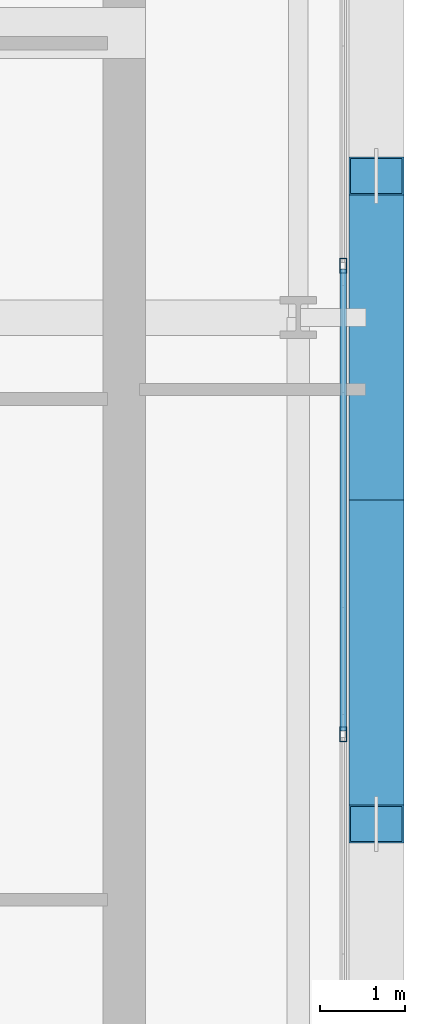
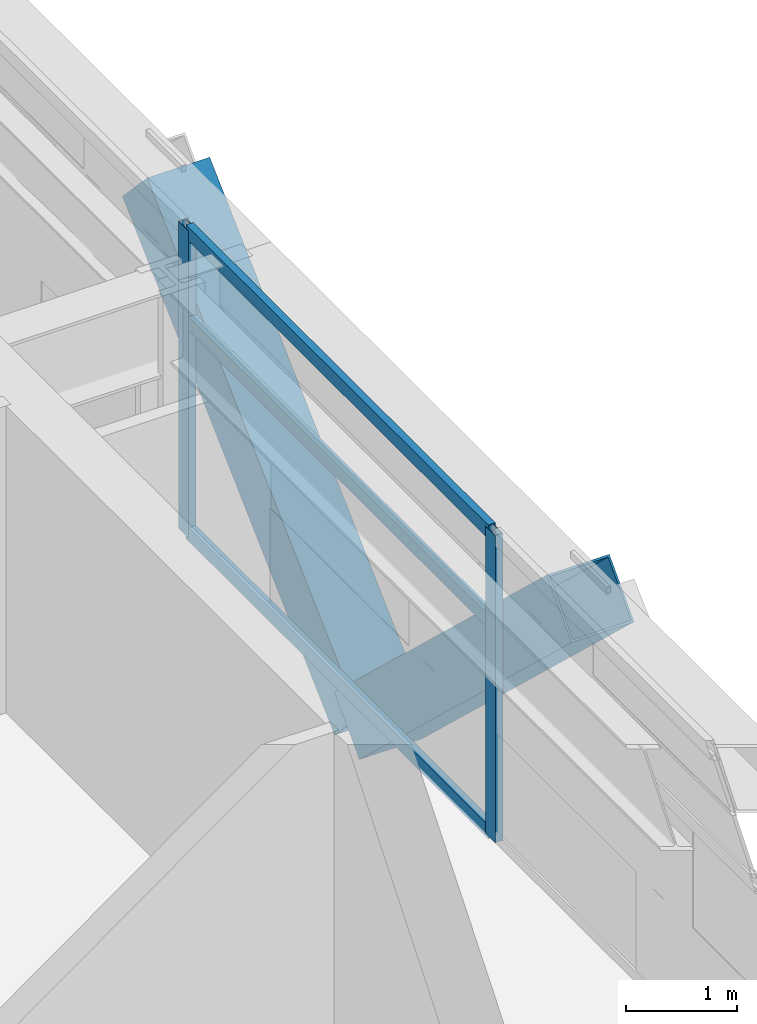
# One storey, part 17 of 37: 7 members, 1 element without a shape of its own.
"""IFC4 building model written with IfcOpenShell, lengths in metres."""

from ifc_helpers import new_model, si_unit, direction, frame, origin, origin_2d, place, context, subcontext, project, spatial, hollow_rectangle, extrude, source, transform, mapped, material, layer, layer_set, material_profile, profile_set, type_object, element, aggregate, save


model = new_model("IFC4")

# Units and contexts
model_context = context("Model", 3, precision=1e-05, world=origin(), true_north=direction((0.0, 1.0)))
body_context = subcontext(model_context, "Body", "Model", "MODEL_VIEW")
ifc_project = project(units=[si_unit("LENGTHUNIT", "METRE"), si_unit("AREAUNIT", "SQUARE_METRE"), si_unit("VOLUMEUNIT", "CUBIC_METRE"), si_unit("PLANEANGLEUNIT", "RADIAN"), si_unit("MASSUNIT", "GRAM", prefix="KILO")], contexts=[model_context])

# Site, building, storey
site_placement = place(None, origin())
site = spatial("IfcSite", under=ifc_project, at=site_placement, CompositionType="ELEMENT")
building_placement = place(site_placement, origin())
building = spatial("IfcBuilding", under=site, at=building_placement, Name="Ocotamira Hotel", CompositionType="ELEMENT")
storey_placement = place(building_placement, frame((0.0, 0.0, 192.0)))
storey = spatial("IfcBuildingStorey", under=building, at=storey_placement, Name="L48", CompositionType="ELEMENT", Elevation=192.0)

# Members
ifc_material_1 = material(Name="Pale-metal coated steel ASTM A913 Grade 65", Category="steel")
ifc_material_profile_1 = material_profile(ifc_material_1, hollow_rectangle(XDim=0.64990234375, YDim=0.64990234375, WallThickness=0.02197265625, at=origin_2d()), Name="BOX650X650X22")
ifc_profile_set_1 = profile_set([ifc_material_profile_1], Name="Pale-metal coated steel ASTM A913 Grade 65")
member_type_1 = type_object("IfcMemberType", Name="MEM-EXO-BOX650", PredefinedType="BRACE", material=ifc_profile_set_1)
shared_shape_1 = source(origin(), body_context, "Body", "SweptSolid", [
    extrude(hollow_rectangle(XDim=0.64990234375, YDim=0.64990234375, WallThickness=0.02197265625, at=origin_2d()), origin(), (0.0, 0.0, 1.0), 5.24658203125),
])
for number, where, z_axis, x_axis, name in (
    (1, (55.969970703125, 26.0, -0.47998046875), (0.0, -0.727442733726, 0.686168397078), (1.0, 0.0, 0.0), "L48 Exoskeleton Diagrid E1.1"),
    (2, (55.969970703125, 26.0, -0.47998046875), (0.0, 0.727442733726, 0.686168397078), (-1.0, 0.0, 0.0), "L48 Exoskeleton Diagrid E1.2"),
):
    element("IfcMember", number, at=place(storey_placement, frame(where, z_axis=z_axis, x_axis=x_axis)), inside=storey, type_object=member_type_1, Name=name, PredefinedType="BRACE", context=body_context, shape_type="MappedRepresentation", body=[
        mapped(shared_shape_1, transform((0.0, 0.0, 0.0), scale=1.0)),
    ])

# Curtain wall, members
ifc_material_2 = material(Name="Anodised pale-metal aluminium and solar glass", Category="aluminium")
ifc_layer = layer(ifc_material_2, 0.199951171875)
ifc_layer_set = layer_set([ifc_layer], Name="Anodised pale-metal aluminium and solar glass")
curtain_wall_type = type_object("IfcCurtainWallType", Name="CW-SYS4-Z3", PredefinedType="NOTDEFINED", material=ifc_layer_set)
curtain_wall_placement = place(storey_placement, origin())
curtain_wall = element("IfcCurtainWall", 3, at=curtain_wall_placement, inside=storey, type_object=curtain_wall_type, Name="L48 Curtain Wall CW-4 CW-L48-E", PredefinedType="NOTDEFINED")
ifc_material_3 = material(Name="Anodised pale-metal aluminium 6063-T6", Category="aluminium")
ifc_material_profile_2 = material_profile(ifc_material_3, hollow_rectangle(XDim=0.080078125, YDim=0.179931640625, WallThickness=0.006103515625, at=origin_2d()), Name="HSS180X80X6")
ifc_profile_set_2 = profile_set([ifc_material_profile_2], Name="Anodised pale-metal aluminium 6063-T6")
member_type_2 = type_object("IfcMemberType", Name="CWM-180X75", PredefinedType="MULLION", material=ifc_profile_set_2)
shared_shape_2 = source(origin(), body_context, "Body", "SweptSolid", [
    extrude(hollow_rectangle(XDim=0.080078125, YDim=0.179931640625, WallThickness=0.006103515625, at=origin_2d()), origin(), (0.0, 0.0, 1.0), 3.3701171875),
])
member_1_placement = place(storey_placement, frame((55.580078125, 23.239990234375, 0.0), z_axis=(0.0, 0.0, 1.0), x_axis=(-1.0, 0.0, 0.0)))
member_1 = element("IfcMember", 4, at=member_1_placement, type_object=member_type_2, Name="CW-4 mullion 3", PredefinedType="MULLION", context=body_context, shape_type="MappedRepresentation", body=[
    mapped(shared_shape_2, transform((0.0, 0.0, 0.0), scale=1.0)),
])
member_2_placement = place(storey_placement, frame((55.580078125, 28.760009765625, 0.0), z_axis=(0.0, 0.0, 1.0), x_axis=(-1.0, 0.0, 0.0)))
member_2 = element("IfcMember", 5, at=member_2_placement, type_object=member_type_2, Name="CW-4 mullion 4", PredefinedType="MULLION", context=body_context, shape_type="MappedRepresentation", body=[
    mapped(shared_shape_2, transform((0.0, 0.0, 0.0), scale=1.0)),
])
ifc_material_profile_3 = material_profile(ifc_material_3, hollow_rectangle(XDim=0.074951171875, YDim=0.14990234375, WallThickness=0.006103515625, at=origin_2d()), Name="HSS150X75X6")
ifc_profile_set_3 = profile_set([ifc_material_profile_3], Name="Anodised pale-metal aluminium 6063-T6")
member_type_3 = type_object("IfcMemberType", Name="CWT-150X75", PredefinedType="USERDEFINED", material=ifc_profile_set_3)
shared_shape_3 = source(origin(), body_context, "Body", "SweptSolid", [
    extrude(hollow_rectangle(XDim=0.074951171875, YDim=0.14990234375, WallThickness=0.006103515625, at=origin_2d()), origin(), (0.0, 0.0, 1.0), 5.43994140625),
])
member_3_placement = place(storey_placement, frame((55.580078125, 23.280029296875, 0.03759765625), z_axis=(0.0, 1.0, 0.0), x_axis=(-1.0, 0.0, 0.0)))
member_3 = element("IfcMember", 6, at=member_3_placement, type_object=member_type_3, Name="CW-4 transom 3.1", ObjectType="TRANSOM", PredefinedType="USERDEFINED", context=body_context, shape_type="MappedRepresentation", body=[
    mapped(shared_shape_3, transform((0.0, 0.0, 0.0), scale=1.0)),
])
member_4_placement = place(storey_placement, frame((55.580078125, 23.280029296875, 2.35009765625), z_axis=(0.0, 1.0, 0.0), x_axis=(-1.0, 0.0, 0.0)))
member_4 = element("IfcMember", 7, at=member_4_placement, type_object=member_type_3, Name="CW-4 transom 3.2", ObjectType="TRANSOM", PredefinedType="USERDEFINED", context=body_context, shape_type="MappedRepresentation", body=[
    mapped(shared_shape_3, transform((0.0, 0.0, 0.0), scale=1.0)),
])
member_5_placement = place(storey_placement, frame((55.580078125, 23.280029296875, 3.33251953125), z_axis=(0.0, 1.0, 0.0), x_axis=(-1.0, 0.0, 0.0)))
member_5 = element("IfcMember", 8, at=member_5_placement, type_object=member_type_3, Name="CW-4 transom 3.3", ObjectType="TRANSOM", PredefinedType="USERDEFINED", context=body_context, shape_type="MappedRepresentation", body=[
    mapped(shared_shape_3, transform((0.0, 0.0, 0.0), scale=1.0)),
])
aggregate(curtain_wall, [member_1, member_2, member_3, member_4, member_5])

save(model, "model.ifc")
